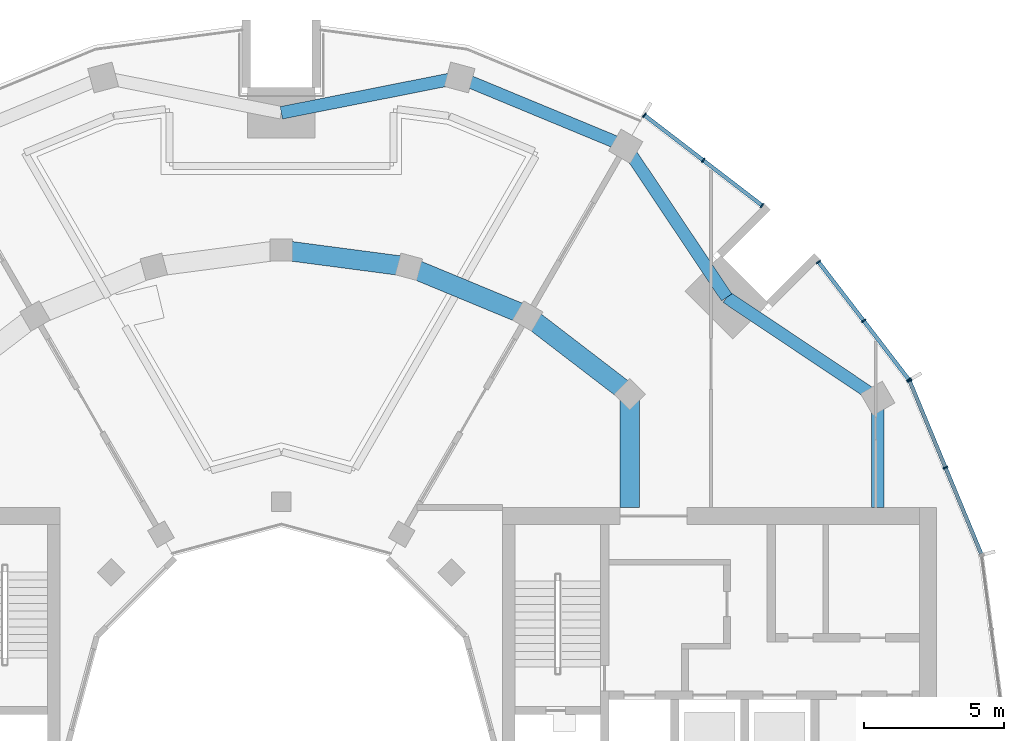
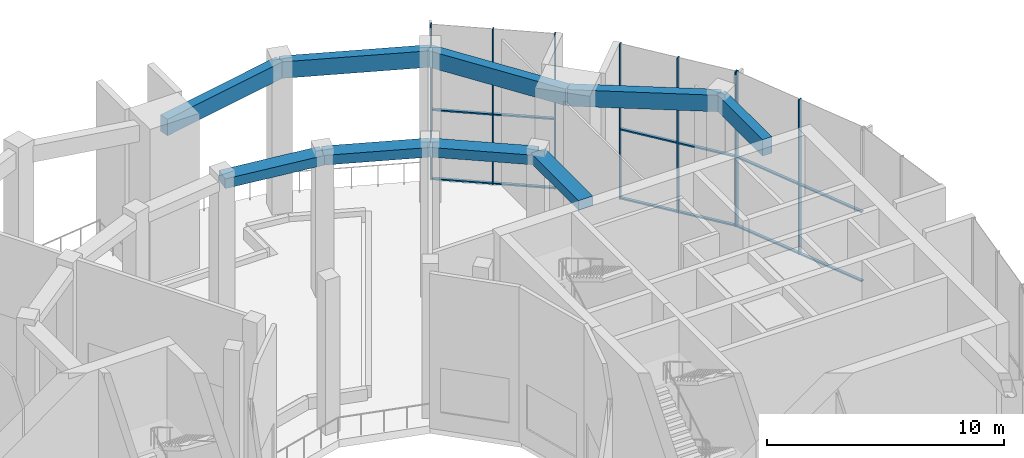
# One storey, part 8 of 18: 20 members, 9 beams, 3 elements without a shape of their own.
"""IFC4 building model written with IfcOpenShell, lengths in metres."""

from ifc_helpers import new_model, si_unit, direction, frame, origin, origin_2d, place, context, subcontext, project, spatial, rectangle, extrude, material, layer, layer_set, material_profile, profile_set, type_object, element, aggregate, save


model = new_model("IFC4")

# Units and contexts
model_context = context("Model", 3, precision=1e-05, world=origin(), true_north=direction((0.0, 1.0)))
body_context = subcontext(model_context, "Body", "Model", "MODEL_VIEW")
ifc_project = project(units=[si_unit("LENGTHUNIT", "METRE"), si_unit("AREAUNIT", "SQUARE_METRE"), si_unit("VOLUMEUNIT", "CUBIC_METRE"), si_unit("PLANEANGLEUNIT", "RADIAN"), si_unit("MASSUNIT", "GRAM", prefix="KILO")], contexts=[model_context])

# Site, building, storey
site_placement = place(None, origin())
site = spatial("IfcSite", under=ifc_project, at=site_placement, CompositionType="ELEMENT")
building_placement = place(site_placement, origin())
building = spatial("IfcBuilding", under=site, at=building_placement, Name="Torre Brocal", CompositionType="ELEMENT")
storey_placement = place(building_placement, frame((0.0, 0.0, 229.300048828125)))
storey = spatial("IfcBuildingStorey", under=building, at=storey_placement, Name="L53", CompositionType="ELEMENT", Elevation=229.300048828125)

# Curtain wall, members
ifc_material_1 = material(Name="Aluminium and glass", Category="aluminium")
ifc_layer = layer(ifc_material_1, 0.199951171875)
ifc_layer_set = layer_set([ifc_layer], Name="Aluminium and glass")
curtain_wall_type = type_object("IfcCurtainWallType", Name="CW-4 CURTAIN WALL 8000 HIGH", PredefinedType="NOTDEFINED", material=ifc_layer_set)
curtain_wall_1_placement = place(storey_placement, origin())
curtain_wall_1 = element("IfcCurtainWall", 1, at=curtain_wall_1_placement, inside=storey, type_object=curtain_wall_type, Name="CW-4 RUN 2", PredefinedType="NOTDEFINED")
ifc_material_2 = material(Name="Aluminium, dark anodised", Category="aluminium")
ifc_material_profile_1 = material_profile(ifc_material_2, rectangle(XDim=0.179931640625, YDim=0.050048828125, at=origin_2d()), Name="CW-4 MULLION 50X180")
ifc_profile_set_1 = profile_set([ifc_material_profile_1], Name="Aluminium, dark anodised")
member_type_1 = type_object("IfcMemberType", Name="CW-4 MULLION 50X180", PredefinedType="MULLION", material=ifc_profile_set_1)
member_1_placement = place(storey_placement, frame((103.722900390625, 84.826416015625, 0.0), z_axis=(0.0, 0.0, 1.0), x_axis=(-0.923879532525, -0.382683432333, 0.0)))
member_1 = element("IfcMember", 2, at=member_1_placement, type_object=member_type_1, Name="CW4-1 mullion 2", PredefinedType="MULLION", context=body_context, shape_type="SweptSolid", body=[
    extrude(rectangle(XDim=0.179931640625, YDim=0.050048828125, at=origin_2d()), origin(), (0.0, 0.0, 1.0), 8.0),
])
member_2_placement = place(storey_placement, frame((102.43896484375, 87.926513671875, 0.0), z_axis=(0.0, 0.0, 1.0), x_axis=(-0.923879532525, -0.382683432333, 0.0)))
member_2 = element("IfcMember", 3, at=member_2_placement, type_object=member_type_1, Name="CW4-1 mullion 3", PredefinedType="MULLION", context=body_context, shape_type="SweptSolid", body=[
    extrude(rectangle(XDim=0.179931640625, YDim=0.050048828125, at=origin_2d()), origin(), (0.0, 0.0, 1.0), 8.0),
])

curtain_wall_2_placement = place(storey_placement, origin())
curtain_wall_2 = element("IfcCurtainWall", 4, at=curtain_wall_2_placement, inside=storey, type_object=curtain_wall_type, Name="CW-4 RUN 3", PredefinedType="NOTDEFINED")
member_3_placement = place(storey_placement, frame((102.4140625, 87.969482421875, 0.0), z_axis=(0.0, 0.0, 1.0), x_axis=(-0.793353340259, -0.60876142905, 0.0)))
member_3 = element("IfcMember", 5, at=member_3_placement, type_object=member_type_1, Name="CW4-1 mullion 1", PredefinedType="MULLION", context=body_context, shape_type="SweptSolid", body=[
    extrude(rectangle(XDim=0.179931640625, YDim=0.050048828125, at=origin_2d()), origin(), (0.0, 0.0, 1.0), 8.0),
])
member_4_placement = place(storey_placement, frame((100.80126953125, 90.0712890625, 0.0), z_axis=(0.0, 0.0, 1.0), x_axis=(-0.793353340259, -0.60876142905, 0.0)))
member_4 = element("IfcMember", 6, at=member_4_placement, type_object=member_type_1, Name="CW4-1 mullion 2", PredefinedType="MULLION", context=body_context, shape_type="SweptSolid", body=[
    extrude(rectangle(XDim=0.179931640625, YDim=0.050048828125, at=origin_2d()), origin(), (0.0, 0.0, 1.0), 8.0),
])
member_5_placement = place(storey_placement, frame((99.188232421875, 92.17333984375, 0.0), z_axis=(0.0, 0.0, 1.0), x_axis=(-0.793353340259, -0.60876142905, 0.0)))
member_5 = element("IfcMember", 7, at=member_5_placement, type_object=member_type_1, Name="CW4-1 mullion 3", PredefinedType="MULLION", context=body_context, shape_type="SweptSolid", body=[
    extrude(rectangle(XDim=0.179931640625, YDim=0.050048828125, at=origin_2d()), origin(), (0.0, 0.0, 1.0), 8.0),
])

curtain_wall_3_placement = place(storey_placement, origin())
curtain_wall_3 = element("IfcCurtainWall", 8, at=curtain_wall_3_placement, inside=storey, type_object=curtain_wall_type, Name="CW-4 RUN 4", PredefinedType="NOTDEFINED")
member_6_placement = place(storey_placement, frame((97.17333984375, 94.188232421875, 0.0), z_axis=(0.0, 0.0, 1.0), x_axis=(-0.60876142905, -0.793353340259, 0.0)))
member_6 = element("IfcMember", 9, at=member_6_placement, type_object=member_type_1, Name="CW4-1 mullion 1", PredefinedType="MULLION", context=body_context, shape_type="SweptSolid", body=[
    extrude(rectangle(XDim=0.179931640625, YDim=0.050048828125, at=origin_2d()), origin(), (0.0, 0.0, 1.0), 8.0),
])
member_7_placement = place(storey_placement, frame((95.0712890625, 95.80126953125, 0.0), z_axis=(0.0, 0.0, 1.0), x_axis=(-0.60876142905, -0.793353340259, 0.0)))
member_7 = element("IfcMember", 10, at=member_7_placement, type_object=member_type_1, Name="CW4-1 mullion 2", PredefinedType="MULLION", context=body_context, shape_type="SweptSolid", body=[
    extrude(rectangle(XDim=0.179931640625, YDim=0.050048828125, at=origin_2d()), origin(), (0.0, 0.0, 1.0), 8.0),
])
member_8_placement = place(storey_placement, frame((92.969482421875, 97.4140625, 0.0), z_axis=(0.0, 0.0, 1.0), x_axis=(-0.60876142905, -0.793353340259, 0.0)))
member_8 = element("IfcMember", 11, at=member_8_placement, type_object=member_type_1, Name="CW4-1 mullion 3", PredefinedType="MULLION", context=body_context, shape_type="SweptSolid", body=[
    extrude(rectangle(XDim=0.179931640625, YDim=0.050048828125, at=origin_2d()), origin(), (0.0, 0.0, 1.0), 8.0),
])

# Member
ifc_material_3 = material(Name="Aluminium, dark anodised", Category="aluminium")
ifc_material_profile_2 = material_profile(ifc_material_3, rectangle(XDim=0.139892578125, YDim=0.070068359375, at=origin_2d()), Name="CW-4 TRANSOM 140X70")
ifc_profile_set_2 = profile_set([ifc_material_profile_2], Name="Aluminium, dark anodised")
member_type_2 = type_object("IfcMemberType", Name="CW-4 TRANSOM 140X70", PredefinedType="USERDEFINED", material=ifc_profile_set_2)
member_9_placement = place(storey_placement, frame((104.99755859375, 81.749267578125, 0.034912109375), z_axis=(-0.382658376168, 0.92388991073, 0.0), x_axis=(-0.92388991073, -0.382658376168, 0.0)))
member_9 = element("IfcMember", 12, at=member_9_placement, type_object=member_type_2, Name="CW4-1 transom 1.1", ObjectType="TRANSOM", PredefinedType="USERDEFINED", context=body_context, shape_type="SweptSolid", body=[
    extrude(rectangle(XDim=0.139892578125, YDim=0.070068359375, at=origin_2d()), origin(), (0.0, 0.0, 1.0), 3.305419921875),
])

member_10_placement = place(storey_placement, frame((104.99755859375, 81.749267578125, 3.599853515625), z_axis=(-0.382658376168, 0.92388991073, 0.0), x_axis=(-0.92388991073, -0.382658376168, 0.0)))
member_10 = element("IfcMember", 13, at=member_10_placement, type_object=member_type_2, Name="CW4-1 transom 1.2", ObjectType="TRANSOM", PredefinedType="USERDEFINED", context=body_context, shape_type="SweptSolid", body=[
    extrude(rectangle(XDim=0.139892578125, YDim=0.070068359375, at=origin_2d()), origin(), (0.0, 0.0, 1.0), 3.305419921875),
])

member_11_placement = place(storey_placement, frame((103.71337890625, 84.849365234375, 0.034912109375), z_axis=(-0.382658376168, 0.92388991073, 0.0), x_axis=(-0.92388991073, -0.382658376168, 0.0)))
member_11 = element("IfcMember", 14, at=member_11_placement, type_object=member_type_2, Name="CW4-1 transom 2.1", ObjectType="TRANSOM", PredefinedType="USERDEFINED", context=body_context, shape_type="SweptSolid", body=[
    extrude(rectangle(XDim=0.139892578125, YDim=0.070068359375, at=origin_2d()), origin(), (0.0, 0.0, 1.0), 3.305419921875),
])

member_12_placement = place(storey_placement, frame((103.71337890625, 84.849365234375, 3.599853515625), z_axis=(-0.382658376168, 0.92388991073, 0.0), x_axis=(-0.92388991073, -0.382658376168, 0.0)))
member_12 = element("IfcMember", 15, at=member_12_placement, type_object=member_type_2, Name="CW4-1 transom 2.2", ObjectType="TRANSOM", PredefinedType="USERDEFINED", context=body_context, shape_type="SweptSolid", body=[
    extrude(rectangle(XDim=0.139892578125, YDim=0.070068359375, at=origin_2d()), origin(), (0.0, 0.0, 1.0), 3.305419921875),
])

aggregate(curtain_wall_1, [member_1, member_2, member_9, member_10, member_11, member_12])

member_13_placement = place(storey_placement, frame((102.39892578125, 87.9892578125, 0.034912109375), z_axis=(-0.608784419977, 0.793335698171, 0.0), x_axis=(-0.793335698171, -0.608784419977, 0.0)))
member_13 = element("IfcMember", 16, at=member_13_placement, type_object=member_type_2, Name="CW4-1 transom 1.1", ObjectType="TRANSOM", PredefinedType="USERDEFINED", context=body_context, shape_type="SweptSolid", body=[
    extrude(rectangle(XDim=0.139892578125, YDim=0.070068359375, at=origin_2d()), origin(), (0.0, 0.0, 1.0), 2.599365234375),
])

member_14_placement = place(storey_placement, frame((102.39892578125, 87.9892578125, 3.599853515625), z_axis=(-0.608784419977, 0.793335698171, 0.0), x_axis=(-0.793335698171, -0.608784419977, 0.0)))
member_14 = element("IfcMember", 17, at=member_14_placement, type_object=member_type_2, Name="CW4-1 transom 1.2", ObjectType="TRANSOM", PredefinedType="USERDEFINED", context=body_context, shape_type="SweptSolid", body=[
    extrude(rectangle(XDim=0.139892578125, YDim=0.070068359375, at=origin_2d()), origin(), (0.0, 0.0, 1.0), 2.599365234375),
])

member_15_placement = place(storey_placement, frame((100.785888671875, 90.09130859375, 0.034912109375), z_axis=(-0.608725303881, 0.79338105877, 0.0), x_axis=(-0.79338105877, -0.608725303881, 0.0)))
member_15 = element("IfcMember", 18, at=member_15_placement, type_object=member_type_2, Name="CW4-1 transom 2.1", ObjectType="TRANSOM", PredefinedType="USERDEFINED", context=body_context, shape_type="SweptSolid", body=[
    extrude(rectangle(XDim=0.139892578125, YDim=0.070068359375, at=origin_2d()), origin(), (0.0, 0.0, 1.0), 2.599365234375),
])

member_16_placement = place(storey_placement, frame((100.785888671875, 90.09130859375, 3.599853515625), z_axis=(-0.608725303881, 0.79338105877, 0.0), x_axis=(-0.79338105877, -0.608725303881, 0.0)))
member_16 = element("IfcMember", 19, at=member_16_placement, type_object=member_type_2, Name="CW4-1 transom 2.2", ObjectType="TRANSOM", PredefinedType="USERDEFINED", context=body_context, shape_type="SweptSolid", body=[
    extrude(rectangle(XDim=0.139892578125, YDim=0.070068359375, at=origin_2d()), origin(), (0.0, 0.0, 1.0), 2.599365234375),
])

aggregate(curtain_wall_2, [member_3, member_4, member_5, member_13, member_14, member_15, member_16])

member_17_placement = place(storey_placement, frame((97.153564453125, 94.20361328125, 0.034912109375), z_axis=(-0.79338105877, 0.608725303881, 0.0), x_axis=(-0.608725303881, -0.79338105877, 0.0)))
member_17 = element("IfcMember", 20, at=member_17_placement, type_object=member_type_2, Name="CW4-1 transom 1.1", ObjectType="TRANSOM", PredefinedType="USERDEFINED", context=body_context, shape_type="SweptSolid", body=[
    extrude(rectangle(XDim=0.139892578125, YDim=0.070068359375, at=origin_2d()), origin(), (0.0, 0.0, 1.0), 2.599365234375),
])

member_18_placement = place(storey_placement, frame((97.153564453125, 94.20361328125, 3.599853515625), z_axis=(-0.79338105877, 0.608725303881, 0.0), x_axis=(-0.608725303881, -0.79338105877, 0.0)))
member_18 = element("IfcMember", 21, at=member_18_placement, type_object=member_type_2, Name="CW4-1 transom 1.2", ObjectType="TRANSOM", PredefinedType="USERDEFINED", context=body_context, shape_type="SweptSolid", body=[
    extrude(rectangle(XDim=0.139892578125, YDim=0.070068359375, at=origin_2d()), origin(), (0.0, 0.0, 1.0), 2.599365234375),
])

member_19_placement = place(storey_placement, frame((95.051513671875, 95.81640625, 0.034912109375), z_axis=(-0.793335698171, 0.608784419977, 0.0), x_axis=(-0.608784419977, -0.793335698171, 0.0)))
member_19 = element("IfcMember", 22, at=member_19_placement, type_object=member_type_2, Name="CW4-1 transom 2.1", ObjectType="TRANSOM", PredefinedType="USERDEFINED", context=body_context, shape_type="SweptSolid", body=[
    extrude(rectangle(XDim=0.139892578125, YDim=0.070068359375, at=origin_2d()), origin(), (0.0, 0.0, 1.0), 2.599365234375),
])

member_20_placement = place(storey_placement, frame((95.051513671875, 95.81640625, 3.599853515625), z_axis=(-0.793335698171, 0.608784419977, 0.0), x_axis=(-0.608784419977, -0.793335698171, 0.0)))
member_20 = element("IfcMember", 23, at=member_20_placement, type_object=member_type_2, Name="CW4-1 transom 2.2", ObjectType="TRANSOM", PredefinedType="USERDEFINED", context=body_context, shape_type="SweptSolid", body=[
    extrude(rectangle(XDim=0.139892578125, YDim=0.070068359375, at=origin_2d()), origin(), (0.0, 0.0, 1.0), 2.599365234375),
])

aggregate(curtain_wall_3, [member_6, member_7, member_8, member_17, member_18, member_19, member_20])

# Beams
ifc_material_4 = material(Name="Concrete C50", Category="concrete")
ifc_material_profile_3 = material_profile(ifc_material_4, rectangle(XDim=0.699951171875, YDim=0.5, at=origin_2d()), Name="RC 700X500")
ifc_profile_set_3 = profile_set([ifc_material_profile_3], Name="Concrete C50")
beam_type_1 = type_object("IfcBeamType", Name="RC BEAM 700X500 C50 TOP 7680", PredefinedType="BEAM", material=ifc_profile_set_3)
beam_1_placement = place(storey_placement, frame((92.445068359375, 87.445068359375, 7.429931640625), z_axis=(-0.793358265959, 0.6087550097, 0.0), x_axis=(-0.6087550097, -0.793358265959, 0.0)))
element("IfcBeam", 24, at=beam_1_placement, inside=storey, type_object=beam_type_1, Name="Beam BT-41", PredefinedType="BEAM", context=body_context, shape_type="SweptSolid", body=[
    extrude(rectangle(XDim=0.699951171875, YDim=0.5, at=origin_2d()), origin(), (0.0, 0.0, 1.0), 4.594482421875),
])
beam_2_placement = place(storey_placement, frame((88.800048828125, 90.241943359375, 7.429931640625), z_axis=(-0.923878240166, 0.382686552348, 0.0), x_axis=(-0.382686552348, -0.923878240166, 0.0)))
element("IfcBeam", 25, at=beam_2_placement, inside=storey, type_object=beam_type_1, Name="Beam BT-41", PredefinedType="BEAM", context=body_context, shape_type="SweptSolid", body=[
    extrude(rectangle(XDim=0.699951171875, YDim=0.5, at=origin_2d()), origin(), (0.0, 0.0, 1.0), 4.5947265625),
])
beam_3_placement = place(storey_placement, frame((84.55517578125, 92.000244140625, 7.429931640625), z_axis=(-0.991440544449, 0.130558978332, 0.0), x_axis=(-0.130558978332, -0.991440544449, 0.0)))
element("IfcBeam", 26, at=beam_3_placement, inside=storey, type_object=beam_type_1, Name="Beam BT-41", PredefinedType="BEAM", context=body_context, shape_type="SweptSolid", body=[
    extrude(rectangle(XDim=0.699951171875, YDim=0.5, at=origin_2d()), origin(), (0.0, 0.0, 1.0), 4.594482421875),
])
beam_4_placement = place(storey_placement, frame((92.445068359375, 87.445068359375, 7.429931640625), z_axis=(0.0, -1.0, 0.0), x_axis=(1.0, 0.0, 0.0)))
element("IfcBeam", 27, at=beam_4_placement, inside=storey, type_object=beam_type_1, Name="Beam BT-41", PredefinedType="BEAM", context=body_context, shape_type="SweptSolid", body=[
    extrude(rectangle(XDim=0.699951171875, YDim=0.5, at=origin_2d()), origin(), (0.0, 0.0, 1.0), 4.045166015625),
])
ifc_material_5 = material(Name="Concrete C50", Category="concrete")
ifc_material_profile_4 = material_profile(ifc_material_5, rectangle(XDim=0.449951171875, YDim=0.85009765625, at=origin_2d()), Name="RC 450X850")
ifc_profile_set_4 = profile_set([ifc_material_profile_4], Name="Concrete C50")
beam_type_2 = type_object("IfcBeamType", Name="RC SPANDREL BEAM 450X850 C50 TOP 7680", PredefinedType="SPANDREL", material=ifc_profile_set_4)
for number, where, z_axis, x_axis, name in (
    (28, (101.30419921875, 87.300048828125, 7.2548828125), (-0.831076844476, 0.556157602282, 0.0), (-0.556157602282, -0.831076844476, 0.0), "Beam BT-42"),
    (29, (95.909912109375, 90.909912109375, 7.2548828125), (-0.556157602282, 0.831076844476, 0.0), (-0.831076844476, -0.556157602282, 0.0), "Beam BT-42"),
):
    element("IfcBeam", number, at=place(storey_placement, frame(where, z_axis=z_axis, x_axis=x_axis)), inside=storey, type_object=beam_type_2, Name=name, PredefinedType="SPANDREL", context=body_context, shape_type="SweptSolid", body=[
        extrude(rectangle(XDim=0.449951171875, YDim=0.85009765625, at=origin_2d()), origin(), (0.0, 0.0, 1.0), 6.49072265625),
    ])
beam_5_placement = place(storey_placement, frame((92.300048828125, 96.30419921875, 7.2548828125), z_axis=(-0.923882462513, 0.382676358639, 0.0), x_axis=(-0.382676358639, -0.923882462513, 0.0)))
element("IfcBeam", 30, at=beam_5_placement, inside=storey, type_object=beam_type_2, Name="Beam BT-42", PredefinedType="SPANDREL", context=body_context, shape_type="SweptSolid", body=[
    extrude(rectangle(XDim=0.449951171875, YDim=0.85009765625, at=origin_2d()), origin(), (0.0, 0.0, 1.0), 6.421875),
])
beam_6_placement = place(storey_placement, frame((86.366943359375, 98.76171875, 7.2548828125), z_axis=(-0.980924907484, -0.194387051723, 0.0), x_axis=(0.194387051723, -0.980924907484, 0.0)))
element("IfcBeam", 31, at=beam_6_placement, inside=storey, type_object=beam_type_2, Name="Beam BT-42", PredefinedType="SPANDREL", context=body_context, shape_type="SweptSolid", body=[
    extrude(rectangle(XDim=0.449951171875, YDim=0.85009765625, at=origin_2d()), origin(), (0.0, 0.0, 1.0), 6.49072265625),
])
beam_7_placement = place(storey_placement, frame((101.30419921875, 87.300048828125, 7.2548828125), z_axis=(0.0, -1.0, 0.0), x_axis=(1.0, 0.0, 0.0)))
element("IfcBeam", 32, at=beam_7_placement, inside=storey, type_object=beam_type_2, Name="Beam BT-42", PredefinedType="SPANDREL", context=body_context, shape_type="SweptSolid", body=[
    extrude(rectangle(XDim=0.449951171875, YDim=0.85009765625, at=origin_2d()), origin(), (0.0, 0.0, 1.0), 3.900146484375),
])

save(model, "model.ifc")
